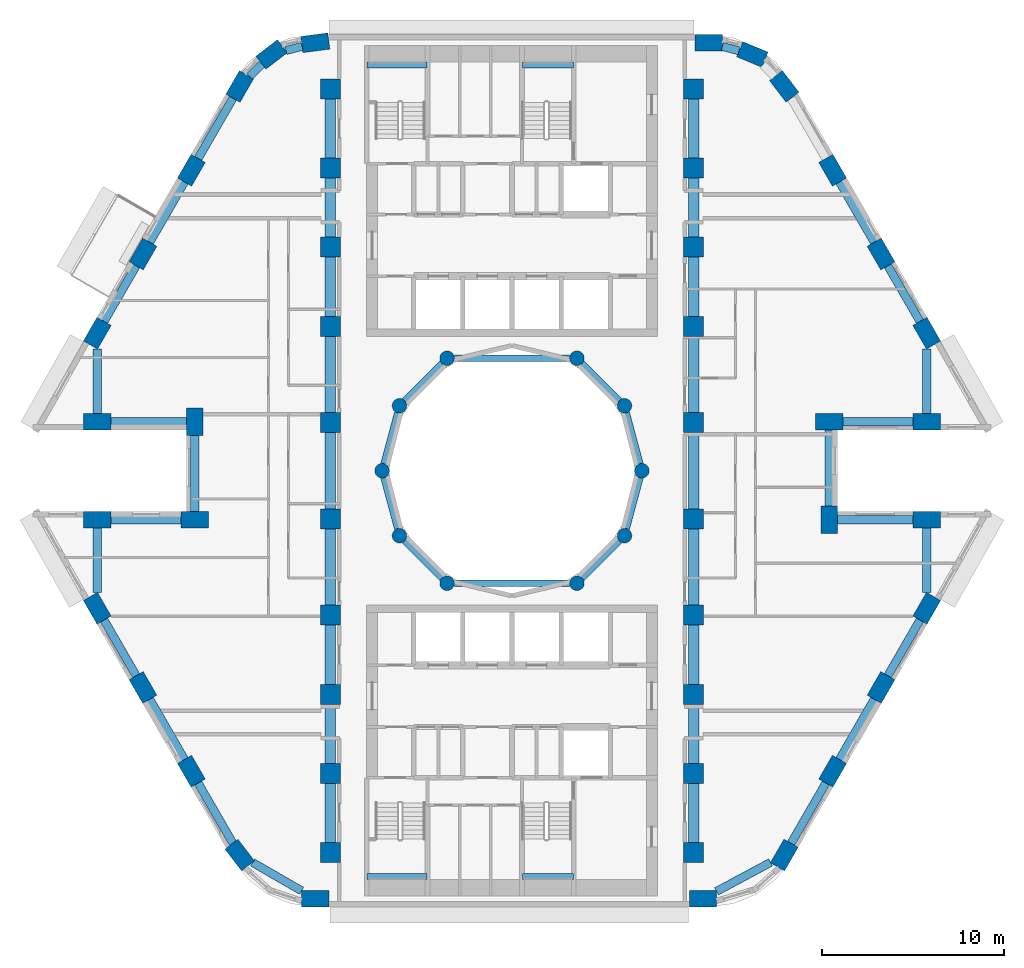
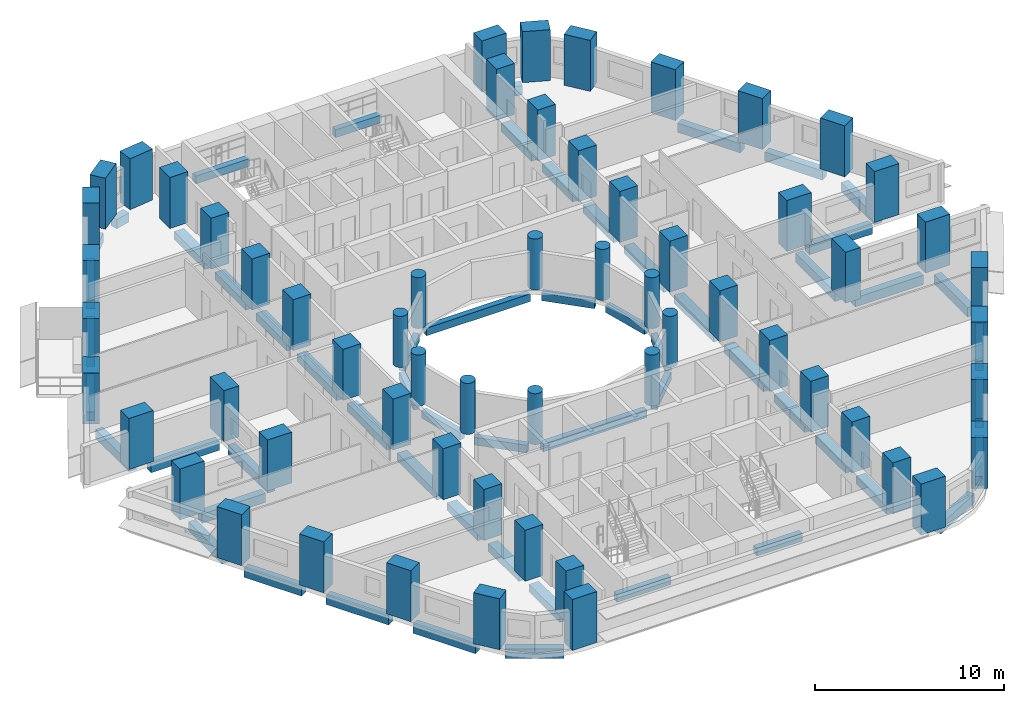
# One storey, part 1 of 13: 60 columns, 58 beams.
"""IFC4 building model written with IfcOpenShell, lengths in metres."""

from ifc_helpers import new_model, si_unit, direction, frame, origin, origin_2d, place, context, subcontext, project, spatial, rectangle, circle, extrude, material, material_profile, profile_set, type_object, element, save


model = new_model("IFC4")

# Units and contexts
model_context = context("Model", 3, precision=1e-05, world=origin(), true_north=direction((0.0, 1.0)))
body_context = subcontext(model_context, "Body", "Model", "MODEL_VIEW")
ifc_project = project(units=[si_unit("LENGTHUNIT", "METRE"), si_unit("AREAUNIT", "SQUARE_METRE"), si_unit("VOLUMEUNIT", "CUBIC_METRE"), si_unit("PLANEANGLEUNIT", "RADIAN"), si_unit("MASSUNIT", "GRAM", prefix="KILO")], contexts=[model_context])

# Site, building, storey
site_placement = place(None, origin())
site = spatial("IfcSite", under=ifc_project, at=site_placement, CompositionType="ELEMENT")
building_placement = place(site_placement, origin())
building = spatial("IfcBuilding", under=site, at=building_placement, Name="Nakaniwa Court", CompositionType="ELEMENT")
storey_placement = place(building_placement, frame((0.0, 0.0, 44.699951171875)))
storey = spatial("IfcBuildingStorey", under=building, at=storey_placement, Name="L11", CompositionType="ELEMENT", Elevation=44.699951171875)

# Columns
ifc_material_1 = material(Name="Concrete C100/115", Category="concrete")
ifc_material_profile_1 = material_profile(ifc_material_1, rectangle(XDim=1.10009765625, YDim=1.10009765625, at=origin_2d()), Name="Concrete C100/115 RC 1100x1100 spine column")
ifc_profile_set_1 = profile_set([ifc_material_profile_1], Name="Concrete C100/115")
column_type_1 = type_object("IfcColumnType", Name="Concrete C100/115 RC 1100x1100 spine column", PredefinedType="COLUMN", material=ifc_profile_set_1)
for number, where, z_axis, x_axis, name in (
    (1, (90.0, 59.0, 0.0), (0.0, 0.0, 1.0), (0.0, 1.0, 0.0), "COLUMN CS-01"),
    (2, (90.0, 63.35009765625, 0.0), (0.0, 0.0, 1.0), (0.0, 1.0, 0.0), "COLUMN CS-02"),
    (3, (90.0, 67.699951171875, 0.0), (0.0, 0.0, 1.0), (0.0, 1.0, 0.0), "COLUMN CS-03"),
    (4, (90.0, 72.050048828125, 0.0), (0.0, 0.0, 1.0), (0.0, 1.0, 0.0), "COLUMN CS-04"),
    (5, (90.0, 77.35009765625, 0.0), (0.0, 0.0, 1.0), (0.0, 1.0, 0.0), "COLUMN CS-05"),
    (6, (90.0, 82.64990234375, 0.0), (0.0, 0.0, 1.0), (0.0, 1.0, 0.0), "COLUMN CS-06"),
    (7, (90.0, 87.949951171875, 0.0), (0.0, 0.0, 1.0), (0.0, 1.0, 0.0), "COLUMN CS-07"),
    (8, (90.0, 92.300048828125, 0.0), (0.0, 0.0, 1.0), (0.0, 1.0, 0.0), "COLUMN CS-08"),
    (9, (90.0, 96.64990234375, 0.0), (0.0, 0.0, 1.0), (0.0, 1.0, 0.0), "COLUMN CS-09"),
    (10, (90.0, 101.0, 0.0), (0.0, 0.0, 1.0), (0.0, 1.0, 0.0), "COLUMN CS-10"),
    (11, (70.0, 101.0, 0.0), (0.0, 0.0, 1.0), (0.0, -1.0, 0.0), "COLUMN CS-11"),
    (12, (70.0, 96.64990234375, 0.0), (0.0, 0.0, 1.0), (0.0, -1.0, 0.0), "COLUMN CS-12"),
    (13, (70.0, 92.300048828125, 0.0), (0.0, 0.0, 1.0), (0.0, -1.0, 0.0), "COLUMN CS-13"),
    (14, (70.0, 87.949951171875, 0.0), (0.0, 0.0, 1.0), (0.0, -1.0, 0.0), "COLUMN CS-14"),
    (15, (70.0, 82.64990234375, 0.0), (0.0, 0.0, 1.0), (0.0, -1.0, 0.0), "COLUMN CS-15"),
    (16, (70.0, 77.35009765625, 0.0), (0.0, 0.0, 1.0), (0.0, -1.0, 0.0), "COLUMN CS-16"),
    (17, (70.0, 72.050048828125, 0.0), (0.0, 0.0, 1.0), (0.0, -1.0, 0.0), "COLUMN CS-17"),
    (18, (70.0, 67.699951171875, 0.0), (0.0, 0.0, 1.0), (0.0, -1.0, 0.0), "COLUMN CS-18"),
    (19, (70.0, 63.35009765625, 0.0), (0.0, 0.0, 1.0), (0.0, -1.0, 0.0), "COLUMN CS-19"),
    (20, (70.0, 59.0, 0.0), (0.0, 0.0, 1.0), (0.0, -1.0, 0.0), "COLUMN CS-20"),
):
    element("IfcColumn", number, at=place(storey_placement, frame(where, z_axis=z_axis, x_axis=x_axis)), inside=storey, type_object=column_type_1, Name=name, PredefinedType="COLUMN", context=body_context, shape_type="SweptSolid", body=[
        extrude(rectangle(XDim=1.10009765625, YDim=1.10009765625, at=origin_2d()), origin(), (0.0, 0.0, 1.0), 3.300048828125),
    ])
ifc_material_profile_2 = material_profile(ifc_material_1, rectangle(XDim=1.5, YDim=0.89990234375, at=origin_2d()), Name="Concrete C100/115 RC 1500x900 perimeter column")
ifc_profile_set_2 = profile_set([ifc_material_profile_2], Name="Concrete C100/115")
column_type_2 = type_object("IfcColumnType", Name="Concrete C100/115 RC 1500x900 perimeter column", PredefinedType="COLUMN", material=ifc_profile_set_2)
for number, where, z_axis, x_axis, name in (
    (21, (69.17529296875, 103.550048828125, 0.0), (0.0, 0.0, 1.0), (-0.991442583111, -0.130543496177, 0.0), "COLUMN CO-01"),
    (22, (66.772705078125, 102.91015625, 0.0), (0.0, 0.0, 1.0), (-0.793363965062, -0.608747582288, 0.0), "COLUMN CO-02"),
    (23, (65.017578125, 101.1494140625, 0.0), (0.0, 0.0, 1.0), (-0.5, -0.866025403784, 0.0), "COLUMN CO-03"),
    (24, (62.3544921875, 96.537109375, 0.0), (0.0, 0.0, 1.0), (-0.5, -0.866025403784, 0.0), "COLUMN CO-04"),
    (25, (59.691650390625, 91.9248046875, 0.0), (0.0, 0.0, 1.0), (-0.5, -0.866025403784, 0.0), "COLUMN CO-05"),
    (26, (57.177001953125, 87.569580078125, 0.0), (0.0, 0.0, 1.0), (-0.5, -0.866025403784, 0.0), "COLUMN CO-06"),
    (27, (57.177001953125, 82.699951171875, 0.0), (0.0, 0.0, 1.0), (1.0, 0.0, 0.0), "COLUMN CO-08"),
    (28, (62.54150390625, 82.699951171875, 0.0), (0.0, 0.0, 1.0), (0.0, -1.0, 0.0), "COLUMN CO-09"),
    (29, (62.54150390625, 77.300048828125, 0.0), (0.0, 0.0, 1.0), (-1.0, 0.0, 0.0), "COLUMN CO-10"),
    (30, (57.177001953125, 77.300048828125, 0.0), (0.0, 0.0, 1.0), (-1.0, 0.0, 0.0), "COLUMN CO-11"),
    (31, (57.177001953125, 72.430419921875, 0.0), (0.0, 0.0, 1.0), (0.5, -0.866025403784, 0.0), "COLUMN CO-13"),
    (32, (59.691650390625, 68.0751953125, 0.0), (0.0, 0.0, 1.0), (0.5, -0.866025403784, 0.0), "COLUMN CO-14"),
    (33, (62.3544921875, 63.462890625, 0.0), (0.0, 0.0, 1.0), (0.5, -0.866025403784, 0.0), "COLUMN CO-15"),
    (34, (65.017578125, 58.8505859375, 0.0), (0.0, 0.0, 1.0), (0.608761429009, -0.793353340291, 0.0), "COLUMN CO-16"),
    (35, (69.17529296875, 56.449951171875, 0.0), (0.0, 0.0, 1.0), (1.0, 0.0, 0.0), "COLUMN CO-17"),
    (36, (90.507080078125, 56.449951171875, 0.0), (0.0, 0.0, 1.0), (1.0, 0.0, 0.0), "COLUMN CO-21"),
    (37, (94.982421875, 58.8505859375, 0.0), (0.0, 0.0, 1.0), (0.5, 0.866025403784, 0.0), "COLUMN CO-22"),
    (38, (97.6455078125, 63.462890625, 0.0), (0.0, 0.0, 1.0), (0.5, 0.866025403784, 0.0), "COLUMN CO-23"),
    (39, (100.308349609375, 68.0751953125, 0.0), (0.0, 0.0, 1.0), (0.5, 0.866025403784, 0.0), "COLUMN CO-24"),
    (40, (102.822998046875, 72.430419921875, 0.0), (0.0, 0.0, 1.0), (0.5, 0.866025403784, 0.0), "COLUMN CO-25"),
    (41, (102.822998046875, 77.300048828125, 0.0), (0.0, 0.0, 1.0), (-1.0, 0.0, 0.0), "COLUMN CO-27"),
    (42, (97.45849609375, 77.300048828125, 0.0), (0.0, 0.0, 1.0), (0.0, 1.0, 0.0), "COLUMN CO-28"),
    (43, (97.45849609375, 82.699951171875, 0.0), (0.0, 0.0, 1.0), (1.0, 0.0, 0.0), "COLUMN CO-29"),
    (44, (102.822998046875, 82.699951171875, 0.0), (0.0, 0.0, 1.0), (1.0, 0.0, 0.0), "COLUMN CO-30"),
    (45, (102.822998046875, 87.569580078125, 0.0), (0.0, 0.0, 1.0), (-0.5, 0.866025403784, 0.0), "COLUMN CO-32"),
    (46, (100.308349609375, 91.9248046875, 0.0), (0.0, 0.0, 1.0), (-0.5, 0.866025403784, 0.0), "COLUMN CO-33"),
    (47, (97.6455078125, 96.537109375, 0.0), (0.0, 0.0, 1.0), (-0.5, 0.866025403784, 0.0), "COLUMN CO-34"),
    (48, (94.982421875, 101.1494140625, 0.0), (0.0, 0.0, 1.0), (-0.608761429009, 0.793353340291, 0.0), "COLUMN CO-35"),
    (49, (93.227294921875, 102.91015625, 0.0), (0.0, 0.0, 1.0), (-0.923879532511, 0.382683432365, 0.0), "COLUMN CO-36"),
    (50, (90.82470703125, 103.550048828125, 0.0), (0.0, 0.0, 1.0), (-1.0, 0.0, 0.0), "COLUMN CO-37"),
):
    element("IfcColumn", number, at=place(storey_placement, frame(where, z_axis=z_axis, x_axis=x_axis)), inside=storey, type_object=column_type_2, Name=name, PredefinedType="COLUMN", context=body_context, shape_type="SweptSolid", body=[
        extrude(rectangle(XDim=1.5, YDim=0.89990234375, at=origin_2d()), origin(), (0.0, 0.0, 1.0), 3.300048828125),
    ])
ifc_material_profile_3 = material_profile(ifc_material_1, circle(Radius=0.39990234375, at=origin_2d()), Name="Concrete C100/115 RC D800 inner ring column")
ifc_profile_set_3 = profile_set([ifc_material_profile_3], Name="Concrete C100/115")
column_type_3 = type_object("IfcColumnType", Name="Concrete C100/115 RC D800 inner ring column", PredefinedType="COLUMN", material=ifc_profile_set_3)
for number, where, z_axis, x_axis, name in (
    (51, (87.14990234375, 80.0, 0.0), (0.0, 0.0, 1.0), (0.0, 1.0, 0.0), "COLUMN CI-01"),
    (52, (86.192138671875, 83.574951171875, 0.0), (0.0, 0.0, 1.0), (-0.5, 0.866025403784, 0.0), "COLUMN CI-02"),
    (53, (83.574951171875, 86.192138671875, 0.0), (0.0, 0.0, 1.0), (-0.866025403784, 0.5, 0.0), "COLUMN CI-03"),
    (54, (76.425048828125, 86.192138671875, 0.0), (0.0, 0.0, 1.0), (-0.866025403784, -0.5, 0.0), "COLUMN CI-05"),
    (55, (73.807861328125, 83.574951171875, 0.0), (0.0, 0.0, 1.0), (-0.5, -0.866025403784, 0.0), "COLUMN CI-06"),
    (56, (72.85009765625, 80.0, 0.0), (0.0, 0.0, 1.0), (0.0, -1.0, 0.0), "COLUMN CI-07"),
    (57, (73.807861328125, 76.425048828125, 0.0), (0.0, 0.0, 1.0), (0.5, -0.866025403784, 0.0), "COLUMN CI-08"),
    (58, (76.425048828125, 73.807861328125, 0.0), (0.0, 0.0, 1.0), (0.866025403784, -0.5, 0.0), "COLUMN CI-09"),
    (59, (83.574951171875, 73.807861328125, 0.0), (0.0, 0.0, 1.0), (0.866025403784, 0.5, 0.0), "COLUMN CI-11"),
    (60, (86.192138671875, 76.425048828125, 0.0), (0.0, 0.0, 1.0), (0.5, 0.866025403784, 0.0), "COLUMN CI-12"),
):
    element("IfcColumn", number, at=place(storey_placement, frame(where, z_axis=z_axis, x_axis=x_axis)), inside=storey, type_object=column_type_3, Name=name, PredefinedType="COLUMN", context=body_context, shape_type="SweptSolid", body=[
        extrude(circle(Radius=0.39990234375, at=origin_2d()), origin(), (0.0, 0.0, 1.0), 3.300048828125),
    ])

# Beams
ifc_material_profile_4 = material_profile(ifc_material_1, rectangle(XDim=0.35009765625, YDim=0.5, at=origin_2d()), Name="Concrete C100/115 RC 350x500 ring beam")
ifc_profile_set_4 = profile_set([ifc_material_profile_4], Name="Concrete C100/115")
beam_type_1 = type_object("IfcBeamType", Name="Concrete C100/115 RC 350x500 ring beam", PredefinedType="BEAM", material=ifc_profile_set_4)
beam_1_placement = place(storey_placement, frame((87.04638671875, 80.386474609375, -0.52490234375), z_axis=(-0.258778150207, 0.965936783115, 0.0), x_axis=(-0.965936783115, -0.258778150207, 0.0)))
element("IfcBeam", 61, at=beam_1_placement, inside=storey, type_object=beam_type_1, Name="RING BEAM", PredefinedType="BEAM", context=body_context, shape_type="SweptSolid", body=[
    extrude(rectangle(XDim=0.35009765625, YDim=0.5, at=origin_2d()), origin(), (0.0, 0.0, 1.0), 2.901123046875),
])
beam_2_placement = place(storey_placement, frame((85.9091796875, 83.85791015625, -0.52490234375), z_axis=(-0.707106781187, 0.707106781187, 0.0), x_axis=(-0.707106781187, -0.707106781187, 0.0)))
element("IfcBeam", 62, at=beam_2_placement, inside=storey, type_object=beam_type_1, Name="RING BEAM", PredefinedType="BEAM", context=body_context, shape_type="SweptSolid", body=[
    extrude(rectangle(XDim=0.35009765625, YDim=0.5, at=origin_2d()), origin(), (0.0, 0.0, 1.0), 2.90087890625),
])
beam_3_placement = place(storey_placement, frame((83.175048828125, 86.192138671875, -0.52490234375), z_axis=(-1.0, 0.0, 0.0), x_axis=(0.0, -1.0, 0.0)))
element("IfcBeam", 63, at=beam_3_placement, inside=storey, type_object=beam_type_1, Name="RING BEAM", PredefinedType="BEAM", context=body_context, shape_type="SweptSolid", body=[
    extrude(rectangle(XDim=0.35009765625, YDim=0.5, at=origin_2d()), origin(), (0.0, 0.0, 1.0), 6.35009765625),
])
beam_4_placement = place(storey_placement, frame((76.14208984375, 85.9091796875, -0.52490234375), z_axis=(-0.707106781187, -0.707106781187, 0.0), x_axis=(0.707106781187, -0.707106781187, 0.0)))
element("IfcBeam", 64, at=beam_4_placement, inside=storey, type_object=beam_type_1, Name="RING BEAM", PredefinedType="BEAM", context=body_context, shape_type="SweptSolid", body=[
    extrude(rectangle(XDim=0.35009765625, YDim=0.5, at=origin_2d()), origin(), (0.0, 0.0, 1.0), 2.90087890625),
])
for number, where, z_axis, x_axis, name in (
    (65, (73.704345703125, 83.188720703125, -0.52490234375), (-0.258778150207, -0.965936783115, 0.0), (0.965936783115, -0.258778150207, 0.0), "RING BEAM"),
    (66, (72.95361328125, 79.613525390625, -0.52490234375), (0.258778150207, -0.965936783115, 0.0), (0.965936783115, 0.258778150207, 0.0), "RING BEAM"),
):
    element("IfcBeam", number, at=place(storey_placement, frame(where, z_axis=z_axis, x_axis=x_axis)), inside=storey, type_object=beam_type_1, Name=name, PredefinedType="BEAM", context=body_context, shape_type="SweptSolid", body=[
        extrude(rectangle(XDim=0.35009765625, YDim=0.5, at=origin_2d()), origin(), (0.0, 0.0, 1.0), 2.901123046875),
    ])
beam_5_placement = place(storey_placement, frame((74.0908203125, 76.14208984375, -0.52490234375), z_axis=(0.707106781187, -0.707106781187, 0.0), x_axis=(0.707106781187, 0.707106781187, 0.0)))
element("IfcBeam", 67, at=beam_5_placement, inside=storey, type_object=beam_type_1, Name="RING BEAM", PredefinedType="BEAM", context=body_context, shape_type="SweptSolid", body=[
    extrude(rectangle(XDim=0.35009765625, YDim=0.5, at=origin_2d()), origin(), (0.0, 0.0, 1.0), 2.90087890625),
])
beam_6_placement = place(storey_placement, frame((76.824951171875, 73.807861328125, -0.52490234375), z_axis=(1.0, 0.0, 0.0), x_axis=(0.0, 1.0, 0.0)))
element("IfcBeam", 68, at=beam_6_placement, inside=storey, type_object=beam_type_1, Name="RING BEAM", PredefinedType="BEAM", context=body_context, shape_type="SweptSolid", body=[
    extrude(rectangle(XDim=0.35009765625, YDim=0.5, at=origin_2d()), origin(), (0.0, 0.0, 1.0), 6.35009765625),
])
beam_7_placement = place(storey_placement, frame((83.85791015625, 74.0908203125, -0.52490234375), z_axis=(0.707106781187, 0.707106781187, 0.0), x_axis=(-0.707106781187, 0.707106781187, 0.0)))
element("IfcBeam", 69, at=beam_7_placement, inside=storey, type_object=beam_type_1, Name="RING BEAM", PredefinedType="BEAM", context=body_context, shape_type="SweptSolid", body=[
    extrude(rectangle(XDim=0.35009765625, YDim=0.5, at=origin_2d()), origin(), (0.0, 0.0, 1.0), 2.90087890625),
])
beam_8_placement = place(storey_placement, frame((86.295654296875, 76.811279296875, -0.52490234375), z_axis=(0.258778150207, 0.965936783115, 0.0), x_axis=(-0.965936783115, 0.258778150207, 0.0)))
element("IfcBeam", 70, at=beam_8_placement, inside=storey, type_object=beam_type_1, Name="RING BEAM", PredefinedType="BEAM", context=body_context, shape_type="SweptSolid", body=[
    extrude(rectangle(XDim=0.35009765625, YDim=0.5, at=origin_2d()), origin(), (0.0, 0.0, 1.0), 2.901123046875),
])
ifc_material_profile_5 = material_profile(ifc_material_1, rectangle(XDim=0.449951171875, YDim=0.60009765625, at=origin_2d()), Name="Concrete C100/115 RC 450x600 spandrel beam")
ifc_profile_set_5 = profile_set([ifc_material_profile_5], Name="Concrete C100/115")
beam_type_2 = type_object("IfcBeamType", Name="Concrete C100/115 RC 450x600 spandrel beam", PredefinedType="BEAM", material=ifc_profile_set_5)
beam_9_placement = place(storey_placement, frame((68.444580078125, 103.35546875, -0.574951171875), z_axis=(-0.966287893493, -0.25746399144, 0.0), x_axis=(0.25746399144, -0.966287893493, 0.0)))
element("IfcBeam", 71, at=beam_9_placement, inside=storey, type_object=beam_type_2, Name="SPANDREL BEAM", PredefinedType="BEAM", context=body_context, shape_type="SweptSolid", body=[
    extrude(rectangle(XDim=0.449951171875, YDim=0.60009765625, at=origin_2d()), origin(), (0.0, 0.0, 1.0), 0.91796875),
])
beam_10_placement = place(storey_placement, frame((66.238525390625, 102.374267578125, -0.574951171875), z_axis=(-0.706081618928, -0.708130459317, 0.0), x_axis=(0.708130459317, -0.706081618928, 0.0)))
element("IfcBeam", 72, at=beam_10_placement, inside=storey, type_object=beam_type_2, Name="SPANDREL BEAM", PredefinedType="BEAM", context=body_context, shape_type="SweptSolid", body=[
    extrude(rectangle(XDim=0.449951171875, YDim=0.60009765625, at=origin_2d()), origin(), (0.0, 0.0, 1.0), 0.953369140625),
])
beam_11_placement = place(storey_placement, frame((64.642578125, 100.5, -0.574951171875), z_axis=(-0.500009674092, -0.866019818373, 0.0), x_axis=(0.866019818373, -0.500009674092, 0.0)))
element("IfcBeam", 73, at=beam_11_placement, inside=storey, type_object=beam_type_2, Name="SPANDREL BEAM", PredefinedType="BEAM", context=body_context, shape_type="SweptSolid", body=[
    extrude(rectangle(XDim=0.449951171875, YDim=0.60009765625, at=origin_2d()), origin(), (0.0, 0.0, 1.0), 3.826171875),
])
beam_12_placement = place(storey_placement, frame((61.9794921875, 95.8876953125, -0.574951171875), z_axis=(-0.499961815444, -0.866047448526, 0.0), x_axis=(0.866047448526, -0.499961815444, 0.0)))
element("IfcBeam", 74, at=beam_12_placement, inside=storey, type_object=beam_type_2, Name="SPANDREL BEAM", PredefinedType="BEAM", context=body_context, shape_type="SweptSolid", body=[
    extrude(rectangle(XDim=0.449951171875, YDim=0.60009765625, at=origin_2d()), origin(), (0.0, 0.0, 1.0), 3.825927734375),
])
beam_13_placement = place(storey_placement, frame((59.316650390625, 91.275146484375, -0.574951171875), z_axis=(-0.500067800301, -0.865986255723, 0.0), x_axis=(0.865986255723, -0.500067800301, 0.0)))
element("IfcBeam", 75, at=beam_13_placement, inside=storey, type_object=beam_type_2, Name="SPANDREL BEAM", PredefinedType="BEAM", context=body_context, shape_type="SweptSolid", body=[
    extrude(rectangle(XDim=0.449951171875, YDim=0.60009765625, at=origin_2d()), origin(), (0.0, 0.0, 1.0), 3.52880859375),
])
beam_14_placement = place(storey_placement, frame((57.177001953125, 86.70361328125, -0.574951171875), z_axis=(0.0, -1.0, 0.0), x_axis=(1.0, 0.0, 0.0)))
element("IfcBeam", 76, at=beam_14_placement, inside=storey, type_object=beam_type_2, Name="SPANDREL BEAM", PredefinedType="BEAM", context=body_context, shape_type="SweptSolid", body=[
    extrude(rectangle(XDim=0.449951171875, YDim=0.60009765625, at=origin_2d()), origin(), (0.0, 0.0, 1.0), 3.5537109375),
])
beam_15_placement = place(storey_placement, frame((57.927001953125, 82.699951171875, -0.574951171875), z_axis=(1.0, 0.0, 0.0), x_axis=(0.0, 1.0, 0.0)))
element("IfcBeam", 77, at=beam_15_placement, inside=storey, type_object=beam_type_2, Name="SPANDREL BEAM", PredefinedType="BEAM", context=body_context, shape_type="SweptSolid", body=[
    extrude(rectangle(XDim=0.449951171875, YDim=0.60009765625, at=origin_2d()), origin(), (0.0, 0.0, 1.0), 4.16455078125),
])
beam_16_placement = place(storey_placement, frame((62.54150390625, 81.949951171875, -0.574951171875), z_axis=(0.0, -1.0, 0.0), x_axis=(1.0, 0.0, 0.0)))
element("IfcBeam", 78, at=beam_16_placement, inside=storey, type_object=beam_type_2, Name="SPANDREL BEAM", PredefinedType="BEAM", context=body_context, shape_type="SweptSolid", body=[
    extrude(rectangle(XDim=0.449951171875, YDim=0.60009765625, at=origin_2d()), origin(), (0.0, 0.0, 1.0), 4.199951171875),
])
beam_17_placement = place(storey_placement, frame((61.79150390625, 77.300048828125, -0.574951171875), z_axis=(-1.0, 0.0, 0.0), x_axis=(0.0, -1.0, 0.0)))
element("IfcBeam", 79, at=beam_17_placement, inside=storey, type_object=beam_type_2, Name="SPANDREL BEAM", PredefinedType="BEAM", context=body_context, shape_type="SweptSolid", body=[
    extrude(rectangle(XDim=0.449951171875, YDim=0.60009765625, at=origin_2d()), origin(), (0.0, 0.0, 1.0), 3.864501953125),
])
beam_18_placement = place(storey_placement, frame((57.177001953125, 76.85009765625, -0.574951171875), z_axis=(0.0, -1.0, 0.0), x_axis=(1.0, 0.0, 0.0)))
element("IfcBeam", 80, at=beam_18_placement, inside=storey, type_object=beam_type_2, Name="SPANDREL BEAM", PredefinedType="BEAM", context=body_context, shape_type="SweptSolid", body=[
    extrude(rectangle(XDim=0.449951171875, YDim=0.60009765625, at=origin_2d()), origin(), (0.0, 0.0, 1.0), 3.5537109375),
])
beam_19_placement = place(storey_placement, frame((57.552001953125, 71.78076171875, -0.574951171875), z_axis=(0.500067800301, -0.865986255723, 0.0), x_axis=(0.865986255723, 0.500067800301, 0.0)))
element("IfcBeam", 81, at=beam_19_placement, inside=storey, type_object=beam_type_2, Name="SPANDREL BEAM", PredefinedType="BEAM", context=body_context, shape_type="SweptSolid", body=[
    extrude(rectangle(XDim=0.449951171875, YDim=0.60009765625, at=origin_2d()), origin(), (0.0, 0.0, 1.0), 3.52880859375),
])
beam_20_placement = place(storey_placement, frame((60.066650390625, 67.42578125, -0.574951171875), z_axis=(0.499961815444, -0.866047448526, 0.0), x_axis=(0.866047448526, 0.499961815444, 0.0)))
element("IfcBeam", 82, at=beam_20_placement, inside=storey, type_object=beam_type_2, Name="SPANDREL BEAM", PredefinedType="BEAM", context=body_context, shape_type="SweptSolid", body=[
    extrude(rectangle(XDim=0.449951171875, YDim=0.60009765625, at=origin_2d()), origin(), (0.0, 0.0, 1.0), 3.825927734375),
])
beam_21_placement = place(storey_placement, frame((62.7294921875, 62.8134765625, -0.574951171875), z_axis=(0.500023067617, -0.86601208528, 0.0), x_axis=(0.86601208528, 0.500023067617, 0.0)))
element("IfcBeam", 83, at=beam_21_placement, inside=storey, type_object=beam_type_2, Name="SPANDREL BEAM", PredefinedType="BEAM", context=body_context, shape_type="SweptSolid", body=[
    extrude(rectangle(XDim=0.449951171875, YDim=0.60009765625, at=origin_2d()), origin(), (0.0, 0.0, 1.0), 3.819580078125),
])
beam_22_placement = place(storey_placement, frame((65.720458984375, 58.444580078125, -0.574951171875), z_axis=(0.866041096587, -0.499972818284, 0.0), x_axis=(0.499972818284, 0.866041096587, 0.0)))
element("IfcBeam", 84, at=beam_22_placement, inside=storey, type_object=beam_type_2, Name="SPANDREL BEAM", PredefinedType="BEAM", context=body_context, shape_type="SweptSolid", body=[
    extrude(rectangle(XDim=0.449951171875, YDim=0.60009765625, at=origin_2d()), origin(), (0.0, 0.0, 1.0), 3.123291015625),
])
beam_23_placement = place(storey_placement, frame((91.257080078125, 56.852294921875, -0.574951171875), z_axis=(0.881234537383, 0.472679267711, 0.0), x_axis=(-0.472679267711, 0.881234537383, 0.0)))
element("IfcBeam", 85, at=beam_23_placement, inside=storey, type_object=beam_type_2, Name="SPANDREL BEAM", PredefinedType="BEAM", context=body_context, shape_type="SweptSolid", body=[
    extrude(rectangle(XDim=0.449951171875, YDim=0.60009765625, at=origin_2d()), origin(), (0.0, 0.0, 1.0), 3.373291015625),
])
beam_24_placement = place(storey_placement, frame((95.357421875, 59.5, -0.574951171875), z_axis=(0.500009674092, 0.866019818373, 0.0), x_axis=(-0.866019818373, 0.500009674092, 0.0)))
element("IfcBeam", 86, at=beam_24_placement, inside=storey, type_object=beam_type_2, Name="SPANDREL BEAM", PredefinedType="BEAM", context=body_context, shape_type="SweptSolid", body=[
    extrude(rectangle(XDim=0.449951171875, YDim=0.60009765625, at=origin_2d()), origin(), (0.0, 0.0, 1.0), 3.826171875),
])
beam_25_placement = place(storey_placement, frame((98.0205078125, 64.1123046875, -0.574951171875), z_axis=(0.499961815444, 0.866047448526, 0.0), x_axis=(-0.866047448526, 0.499961815444, 0.0)))
element("IfcBeam", 87, at=beam_25_placement, inside=storey, type_object=beam_type_2, Name="SPANDREL BEAM", PredefinedType="BEAM", context=body_context, shape_type="SweptSolid", body=[
    extrude(rectangle(XDim=0.449951171875, YDim=0.60009765625, at=origin_2d()), origin(), (0.0, 0.0, 1.0), 3.825927734375),
])
beam_26_placement = place(storey_placement, frame((100.683349609375, 68.724853515625, -0.574951171875), z_axis=(0.500067800301, 0.865986255723, 0.0), x_axis=(-0.865986255723, 0.500067800301, 0.0)))
element("IfcBeam", 88, at=beam_26_placement, inside=storey, type_object=beam_type_2, Name="SPANDREL BEAM", PredefinedType="BEAM", context=body_context, shape_type="SweptSolid", body=[
    extrude(rectangle(XDim=0.449951171875, YDim=0.60009765625, at=origin_2d()), origin(), (0.0, 0.0, 1.0), 3.52880859375),
])
beam_27_placement = place(storey_placement, frame((102.822998046875, 73.29638671875, -0.574951171875), z_axis=(0.0, 1.0, 0.0), x_axis=(-1.0, 0.0, 0.0)))
element("IfcBeam", 89, at=beam_27_placement, inside=storey, type_object=beam_type_2, Name="SPANDREL BEAM", PredefinedType="BEAM", context=body_context, shape_type="SweptSolid", body=[
    extrude(rectangle(XDim=0.449951171875, YDim=0.60009765625, at=origin_2d()), origin(), (0.0, 0.0, 1.0), 3.5537109375),
])
beam_28_placement = place(storey_placement, frame((102.072998046875, 77.300048828125, -0.574951171875), z_axis=(-1.0, 0.0, 0.0), x_axis=(0.0, -1.0, 0.0)))
element("IfcBeam", 90, at=beam_28_placement, inside=storey, type_object=beam_type_2, Name="SPANDREL BEAM", PredefinedType="BEAM", context=body_context, shape_type="SweptSolid", body=[
    extrude(rectangle(XDim=0.449951171875, YDim=0.60009765625, at=origin_2d()), origin(), (0.0, 0.0, 1.0), 4.16455078125),
])
beam_29_placement = place(storey_placement, frame((97.45849609375, 78.050048828125, -0.574951171875), z_axis=(0.0, 1.0, 0.0), x_axis=(-1.0, 0.0, 0.0)))
element("IfcBeam", 91, at=beam_29_placement, inside=storey, type_object=beam_type_2, Name="SPANDREL BEAM", PredefinedType="BEAM", context=body_context, shape_type="SweptSolid", body=[
    extrude(rectangle(XDim=0.449951171875, YDim=0.60009765625, at=origin_2d()), origin(), (0.0, 0.0, 1.0), 4.199951171875),
])
beam_30_placement = place(storey_placement, frame((98.20849609375, 82.699951171875, -0.574951171875), z_axis=(1.0, 0.0, 0.0), x_axis=(0.0, 1.0, 0.0)))
element("IfcBeam", 92, at=beam_30_placement, inside=storey, type_object=beam_type_2, Name="SPANDREL BEAM", PredefinedType="BEAM", context=body_context, shape_type="SweptSolid", body=[
    extrude(rectangle(XDim=0.449951171875, YDim=0.60009765625, at=origin_2d()), origin(), (0.0, 0.0, 1.0), 3.864501953125),
])
beam_31_placement = place(storey_placement, frame((102.822998046875, 83.14990234375, -0.574951171875), z_axis=(0.0, 1.0, 0.0), x_axis=(-1.0, 0.0, 0.0)))
element("IfcBeam", 93, at=beam_31_placement, inside=storey, type_object=beam_type_2, Name="SPANDREL BEAM", PredefinedType="BEAM", context=body_context, shape_type="SweptSolid", body=[
    extrude(rectangle(XDim=0.449951171875, YDim=0.60009765625, at=origin_2d()), origin(), (0.0, 0.0, 1.0), 3.5537109375),
])
beam_32_placement = place(storey_placement, frame((102.447998046875, 88.21923828125, -0.574951171875), z_axis=(-0.500067800301, 0.865986255723, 0.0), x_axis=(-0.865986255723, -0.500067800301, 0.0)))
element("IfcBeam", 94, at=beam_32_placement, inside=storey, type_object=beam_type_2, Name="SPANDREL BEAM", PredefinedType="BEAM", context=body_context, shape_type="SweptSolid", body=[
    extrude(rectangle(XDim=0.449951171875, YDim=0.60009765625, at=origin_2d()), origin(), (0.0, 0.0, 1.0), 3.52880859375),
])
beam_33_placement = place(storey_placement, frame((99.933349609375, 92.57421875, -0.574951171875), z_axis=(-0.499961815444, 0.866047448526, 0.0), x_axis=(-0.866047448526, -0.499961815444, 0.0)))
element("IfcBeam", 95, at=beam_33_placement, inside=storey, type_object=beam_type_2, Name="SPANDREL BEAM", PredefinedType="BEAM", context=body_context, shape_type="SweptSolid", body=[
    extrude(rectangle(XDim=0.449951171875, YDim=0.60009765625, at=origin_2d()), origin(), (0.0, 0.0, 1.0), 3.825927734375),
])
beam_34_placement = place(storey_placement, frame((92.49609375, 103.10498046875, -0.574951171875), z_axis=(-0.966324126494, 0.257327966912, 0.0), x_axis=(-0.257327966912, -0.966324126494, 0.0)))
element("IfcBeam", 96, at=beam_34_placement, inside=storey, type_object=beam_type_2, Name="SPANDREL BEAM", PredefinedType="BEAM", context=body_context, shape_type="SweptSolid", body=[
    extrude(rectangle(XDim=0.449951171875, YDim=0.60009765625, at=origin_2d()), origin(), (0.0, 0.0, 1.0), 0.95361328125),
])
ifc_material_profile_6 = material_profile(ifc_material_1, rectangle(XDim=0.60009765625, YDim=0.5, at=origin_2d()), Name="Concrete C100/115 RC 600x500 ring beam")
ifc_profile_set_6 = profile_set([ifc_material_profile_6], Name="Concrete C100/115")
beam_type_3 = type_object("IfcBeamType", Name="Concrete C100/115 RC 600x500 ring beam", PredefinedType="BEAM", material=ifc_profile_set_6)
for number, where, z_axis, x_axis, name in (
    (97, (90.0, 59.550048828125, -0.52490234375), (0.0, 1.0, 0.0), (-1.0, 0.0, 0.0), "RING BEAM"),
    (98, (90.0, 63.89990234375, -0.52490234375), (0.0, 1.0, 0.0), (-1.0, 0.0, 0.0), "RING BEAM"),
    (99, (90.0, 68.25, -0.52490234375), (0.0, 1.0, 0.0), (-1.0, 0.0, 0.0), "RING BEAM"),
):
    element("IfcBeam", number, at=place(storey_placement, frame(where, z_axis=z_axis, x_axis=x_axis)), inside=storey, type_object=beam_type_3, Name=name, PredefinedType="BEAM", context=body_context, shape_type="SweptSolid", body=[
        extrude(rectangle(XDim=0.60009765625, YDim=0.5, at=origin_2d()), origin(), (0.0, 0.0, 1.0), 3.25),
    ])
beam_35_placement = place(storey_placement, frame((90.0, 72.60009765625, -0.52490234375), z_axis=(0.0, 1.0, 0.0), x_axis=(-1.0, 0.0, 0.0)))
element("IfcBeam", 100, at=beam_35_placement, inside=storey, type_object=beam_type_3, Name="RING BEAM", PredefinedType="BEAM", context=body_context, shape_type="SweptSolid", body=[
    extrude(rectangle(XDim=0.60009765625, YDim=0.5, at=origin_2d()), origin(), (0.0, 0.0, 1.0), 4.199951171875),
])
beam_36_placement = place(storey_placement, frame((90.0, 77.89990234375, -0.52490234375), z_axis=(0.0, 1.0, 0.0), x_axis=(-1.0, 0.0, 0.0)))
element("IfcBeam", 101, at=beam_36_placement, inside=storey, type_object=beam_type_3, Name="RING BEAM", PredefinedType="BEAM", context=body_context, shape_type="SweptSolid", body=[
    extrude(rectangle(XDim=0.60009765625, YDim=0.5, at=origin_2d()), origin(), (0.0, 0.0, 1.0), 4.2001953125),
])
beam_37_placement = place(storey_placement, frame((90.0, 83.199951171875, -0.52490234375), z_axis=(0.0, 1.0, 0.0), x_axis=(-1.0, 0.0, 0.0)))
element("IfcBeam", 102, at=beam_37_placement, inside=storey, type_object=beam_type_3, Name="RING BEAM", PredefinedType="BEAM", context=body_context, shape_type="SweptSolid", body=[
    extrude(rectangle(XDim=0.60009765625, YDim=0.5, at=origin_2d()), origin(), (0.0, 0.0, 1.0), 4.199951171875),
])
for number, where, z_axis, x_axis, name in (
    (103, (90.0, 88.5, -0.52490234375), (0.0, 1.0, 0.0), (-1.0, 0.0, 0.0), "RING BEAM"),
    (104, (90.0, 92.85009765625, -0.52490234375), (0.0, 1.0, 0.0), (-1.0, 0.0, 0.0), "RING BEAM"),
    (105, (90.0, 97.199951171875, -0.52490234375), (0.0, 1.0, 0.0), (-1.0, 0.0, 0.0), "RING BEAM"),
    (106, (70.0, 100.449951171875, -0.52490234375), (0.0, -1.0, 0.0), (1.0, 0.0, 0.0), "RING BEAM"),
    (107, (70.0, 96.10009765625, -0.52490234375), (0.0, -1.0, 0.0), (1.0, 0.0, 0.0), "RING BEAM"),
    (108, (70.0, 91.75, -0.52490234375), (0.0, -1.0, 0.0), (1.0, 0.0, 0.0), "RING BEAM"),
):
    element("IfcBeam", number, at=place(storey_placement, frame(where, z_axis=z_axis, x_axis=x_axis)), inside=storey, type_object=beam_type_3, Name=name, PredefinedType="BEAM", context=body_context, shape_type="SweptSolid", body=[
        extrude(rectangle(XDim=0.60009765625, YDim=0.5, at=origin_2d()), origin(), (0.0, 0.0, 1.0), 3.25),
    ])
beam_38_placement = place(storey_placement, frame((70.0, 87.39990234375, -0.52490234375), z_axis=(0.0, -1.0, 0.0), x_axis=(1.0, 0.0, 0.0)))
element("IfcBeam", 109, at=beam_38_placement, inside=storey, type_object=beam_type_3, Name="RING BEAM", PredefinedType="BEAM", context=body_context, shape_type="SweptSolid", body=[
    extrude(rectangle(XDim=0.60009765625, YDim=0.5, at=origin_2d()), origin(), (0.0, 0.0, 1.0), 4.199951171875),
])
beam_39_placement = place(storey_placement, frame((70.0, 82.10009765625, -0.52490234375), z_axis=(0.0, -1.0, 0.0), x_axis=(1.0, 0.0, 0.0)))
element("IfcBeam", 110, at=beam_39_placement, inside=storey, type_object=beam_type_3, Name="RING BEAM", PredefinedType="BEAM", context=body_context, shape_type="SweptSolid", body=[
    extrude(rectangle(XDim=0.60009765625, YDim=0.5, at=origin_2d()), origin(), (0.0, 0.0, 1.0), 4.2001953125),
])
beam_40_placement = place(storey_placement, frame((70.0, 76.800048828125, -0.52490234375), z_axis=(0.0, -1.0, 0.0), x_axis=(1.0, 0.0, 0.0)))
element("IfcBeam", 111, at=beam_40_placement, inside=storey, type_object=beam_type_3, Name="RING BEAM", PredefinedType="BEAM", context=body_context, shape_type="SweptSolid", body=[
    extrude(rectangle(XDim=0.60009765625, YDim=0.5, at=origin_2d()), origin(), (0.0, 0.0, 1.0), 4.199951171875),
])
for number, where, z_axis, x_axis, name in (
    (112, (70.0, 71.5, -0.52490234375), (0.0, -1.0, 0.0), (1.0, 0.0, 0.0), "RING BEAM"),
    (113, (70.0, 67.14990234375, -0.52490234375), (0.0, -1.0, 0.0), (1.0, 0.0, 0.0), "RING BEAM"),
    (114, (70.0, 62.800048828125, -0.52490234375), (0.0, -1.0, 0.0), (1.0, 0.0, 0.0), "RING BEAM"),
):
    element("IfcBeam", number, at=place(storey_placement, frame(where, z_axis=z_axis, x_axis=x_axis)), inside=storey, type_object=beam_type_3, Name=name, PredefinedType="BEAM", context=body_context, shape_type="SweptSolid", body=[
        extrude(rectangle(XDim=0.60009765625, YDim=0.5, at=origin_2d()), origin(), (0.0, 0.0, 1.0), 3.25),
    ])
ifc_material_2 = material(Name="Concrete C80/100", Category="concrete")
ifc_material_profile_7 = material_profile(ifc_material_2, rectangle(XDim=0.35009765625, YDim=0.5, at=origin_2d()), Name="Concrete C80/100 RC 350x500 landing ledge beam")
ifc_profile_set_7 = profile_set([ifc_material_profile_7], Name="Concrete C80/100")
beam_type_4 = type_object("IfcBeamType", Name="Concrete C80/100 RC 350x500 landing ledge beam", PredefinedType="BEAM", material=ifc_profile_set_7)
beam_41_placement = place(storey_placement, frame((72.02490234375, 102.324951171875, 1.199951171875), z_axis=(1.0, 0.0, 0.0), x_axis=(0.0, 1.0, 0.0)))
element("IfcBeam", 115, at=beam_41_placement, inside=storey, type_object=beam_type_4, Name="LANDING LEDGE BEAM", PredefinedType="BEAM", context=body_context, shape_type="SweptSolid", body=[
    extrude(rectangle(XDim=0.35009765625, YDim=0.5, at=origin_2d()), origin(), (0.0, 0.0, 1.0), 3.300048828125),
])
beam_42_placement = place(storey_placement, frame((80.574951171875, 102.324951171875, 1.199951171875), z_axis=(1.0, 0.0, 0.0), x_axis=(0.0, 1.0, 0.0)))
element("IfcBeam", 116, at=beam_42_placement, inside=storey, type_object=beam_type_4, Name="LANDING LEDGE BEAM", PredefinedType="BEAM", context=body_context, shape_type="SweptSolid", body=[
    extrude(rectangle(XDim=0.35009765625, YDim=0.5, at=origin_2d()), origin(), (0.0, 0.0, 1.0), 2.800048828125),
])
beam_43_placement = place(storey_placement, frame((72.02490234375, 57.675048828125, 1.199951171875), z_axis=(1.0, 0.0, 0.0), x_axis=(0.0, 1.0, 0.0)))
element("IfcBeam", 117, at=beam_43_placement, inside=storey, type_object=beam_type_4, Name="LANDING LEDGE BEAM", PredefinedType="BEAM", context=body_context, shape_type="SweptSolid", body=[
    extrude(rectangle(XDim=0.35009765625, YDim=0.5, at=origin_2d()), origin(), (0.0, 0.0, 1.0), 3.300048828125),
])
beam_44_placement = place(storey_placement, frame((80.574951171875, 57.675048828125, 1.199951171875), z_axis=(1.0, 0.0, 0.0), x_axis=(0.0, 1.0, 0.0)))
element("IfcBeam", 118, at=beam_44_placement, inside=storey, type_object=beam_type_4, Name="LANDING LEDGE BEAM", PredefinedType="BEAM", context=body_context, shape_type="SweptSolid", body=[
    extrude(rectangle(XDim=0.35009765625, YDim=0.5, at=origin_2d()), origin(), (0.0, 0.0, 1.0), 2.800048828125),
])

save(model, "model.ifc")
